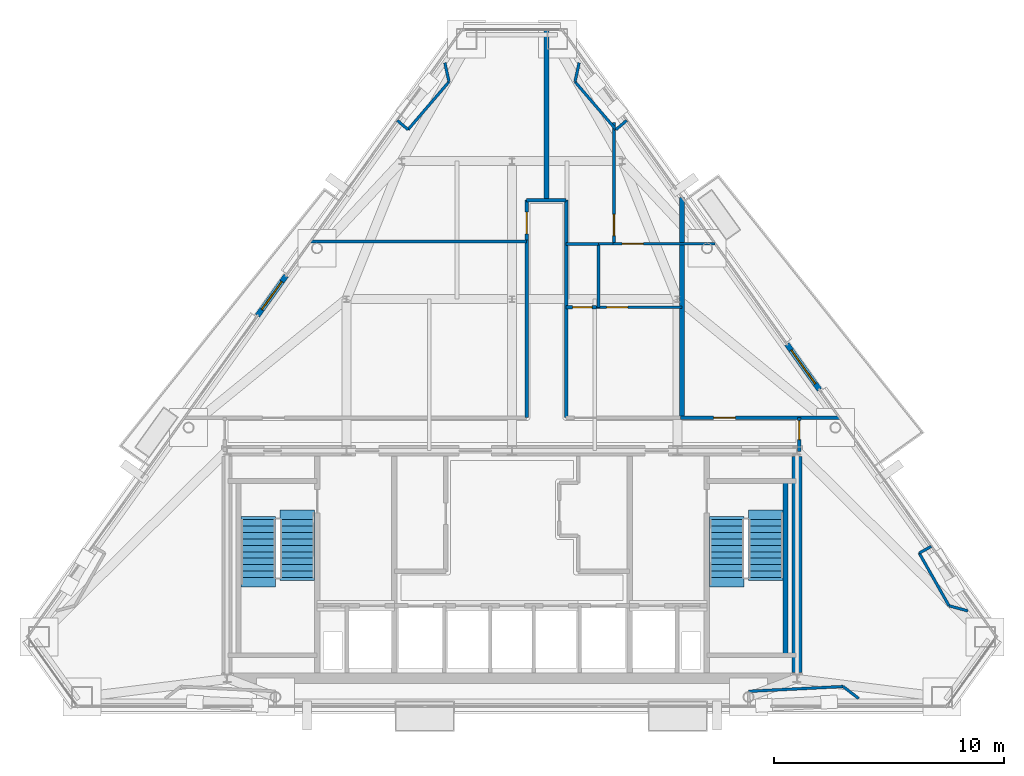
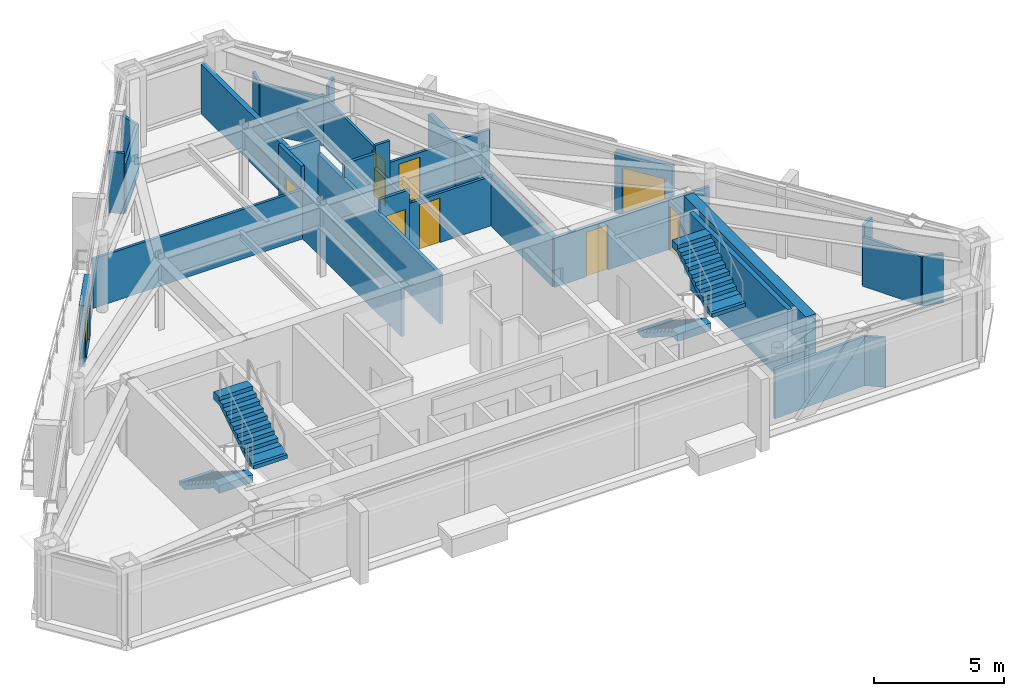
# One storey, part 9 of 11: 31 walls, 9 doors, 4 stair flights, 9 openings, 2 elements without a shape of their own.
"""IFC4 building model written with IfcOpenShell, lengths in metres."""

from ifc_helpers import new_model, si_unit, direction, frame, frame_2d, origin, place, context, subcontext, project, spatial, polyline, rectangle, outline, extrude, material, layer, layer_set, type_object, element, fill, aggregate, save


model = new_model("IFC4")

# Units and contexts
model_context = context("Model", 3, precision=1e-05, world=origin(), true_north=direction((0.0, 1.0)))
body_context = subcontext(model_context, "Body", "Model", "MODEL_VIEW")
ifc_project = project(units=[si_unit("LENGTHUNIT", "METRE"), si_unit("AREAUNIT", "SQUARE_METRE"), si_unit("VOLUMEUNIT", "CUBIC_METRE"), si_unit("PLANEANGLEUNIT", "RADIAN"), si_unit("MASSUNIT", "GRAM", prefix="KILO")], contexts=[model_context])

# Site, building, storey
site_placement = place(None, origin())
site = spatial("IfcSite", under=ifc_project, at=site_placement, CompositionType="ELEMENT")
building_placement = place(site_placement, origin())
building = spatial("IfcBuilding", under=site, at=building_placement, Name="Talgorran Terracotta Tower", CompositionType="ELEMENT")
storey_placement = place(building_placement, frame((0.0, 0.0, 274.199951171875)))
storey = spatial("IfcBuildingStorey", under=building, at=storey_placement, Name="L72", CompositionType="ELEMENT", Elevation=274.199951171875)

# Wall, opening, door
ifc_material_1 = material(Name="Concrete C40/50", Category="concrete")
ifc_layer_1 = layer(ifc_material_1, 0.239990234375, Name="WT_BALCONY_SPAND")
ifc_layer_set_1 = layer_set([ifc_layer_1], Name="Concrete C40/50")
wall_type_1 = type_object("IfcWallType", Name="WT_BALCONY_SPAND", PredefinedType="STANDARD", material=ifc_layer_set_1)
wall_1_placement = place(storey_placement, frame((13.38330078125, -1.546630859375, -0.014892578125), z_axis=(0.0, 0.0, 1.0), x_axis=(-0.58167352525, 0.813422344187, 0.0)))
wall_1 = element("IfcWall", 1, at=wall_1_placement, inside=storey, type_object=wall_type_1, Name="WL-L72-BALP-BAL-NE", PredefinedType="STANDARD", context=body_context, shape_type="SweptSolid", body=[
    extrude(rectangle(XDim=2.43994140625, YDim=0.239990234375, at=frame_2d((1.219970703125, 0.0))), origin(), (0.0, 0.0, 1.0), 2.8779296875),
])
opening_1_placement = place(wall_1_placement, frame((0.320068359375, 0.0, 0.014892578125)))
opening_1 = element("IfcOpeningElement", 2, at=opening_1_placement, cuts=wall_1, Name="Opening D-BAL-L72-1", PredefinedType="OPENING", context=body_context, shape_type="SweptSolid", body=[
    extrude(rectangle(XDim=1.806048828125, YDim=2.203951171875, at=frame_2d((0.89990234375, 1.10205078125))), frame((0.0, 0.1298828125, 0.0), z_axis=(0.0, -1.0, 0.0), x_axis=(1.0, 0.0, 0.0)), (0.0, 0.0, 1.0), 0.260009765625),
])
ifc_material_2 = material(Name="Thermally Broken Aluminium", Category="aluminium")
door_type_1 = type_object("IfcDoorType", Name="DT_BALC_1800", OperationType="SLIDING_TO_LEFT", PredefinedType="DOOR", material=ifc_material_2)
door_1_placement = place(opening_1_placement, origin())
door_1 = element("IfcDoor", 3, at=door_1_placement, inside=storey, type_object=door_type_1, Name="DR-L72-BAL-BAL-NE", OperationType="SLIDING_TO_LEFT", OverallHeight=2.199951171875, OverallWidth=1.800048828125, PredefinedType="DOOR", context=body_context, shape_type="SweptSolid", body=[
    extrude(rectangle(XDim=1.800048828125, YDim=2.199951171875, at=frame_2d((0.89990234375, 1.10009765625))), frame((0.0, 0.02490234375, 0.0), z_axis=(0.0, -1.0, 0.0), x_axis=(1.0, 0.0, 0.0)), (0.0, 0.0, 1.0), 0.050048828125),
])
fill(opening_1, door_1)

wall_2_placement = place(storey_placement, frame((-9.830810546875, 3.42041015625, -0.014892578125), z_axis=(0.0, 0.0, 1.0), x_axis=(-0.581756116184, -0.81336327756, 0.0)))
wall_2 = element("IfcWall", 4, at=wall_2_placement, inside=storey, type_object=wall_type_1, Name="WL-L72-BALP-BAL-NW", PredefinedType="STANDARD", context=body_context, shape_type="SweptSolid", body=[
    extrude(rectangle(XDim=2.139892578125, YDim=0.239990234375, at=frame_2d((1.06982421875, 0.0))), origin(), (0.0, 0.0, 1.0), 2.8779296875),
])
opening_2_placement = place(wall_2_placement, frame((0.320068359375, 0.0, 0.014892578125)))
opening_2 = element("IfcOpeningElement", 5, at=opening_2_placement, cuts=wall_2, Name="Opening D-BAL-L72-2", PredefinedType="OPENING", context=body_context, shape_type="SweptSolid", body=[
    extrude(rectangle(XDim=1.506, YDim=2.203951171875, at=frame_2d((0.75, 1.10205078125))), frame((0.0, 0.1298828125, 0.0), z_axis=(0.0, -1.0, 0.0), x_axis=(1.0, 0.0, 0.0)), (0.0, 0.0, 1.0), 0.260009765625),
])
door_type_2 = type_object("IfcDoorType", Name="DT_BALC_1500", OperationType="SLIDING_TO_RIGHT", PredefinedType="DOOR", material=ifc_material_2)
door_2_placement = place(opening_2_placement, origin())
door_2 = element("IfcDoor", 6, at=door_2_placement, inside=storey, type_object=door_type_2, Name="DR-L72-BAL-BAL-NW", OperationType="SLIDING_TO_RIGHT", OverallHeight=2.199951171875, OverallWidth=1.5, PredefinedType="DOOR", context=body_context, shape_type="SweptSolid", body=[
    extrude(rectangle(XDim=1.5, YDim=2.199951171875, at=frame_2d((0.75, 1.10009765625))), frame((0.0, 0.02490234375, 0.0), z_axis=(0.0, -1.0, 0.0), x_axis=(1.0, 0.0, 0.0)), (0.0, 0.0, 1.0), 0.050048828125),
])
fill(opening_2, door_2)

# Walls
ifc_material_3 = material(Name="Concrete C50/60", Category="concrete")
ifc_layer_2 = layer(ifc_material_3, 0.199951171875, Name="WT_CORE_200")
ifc_layer_set_2 = layer_set([ifc_layer_2], Name="Concrete C50/60")
wall_type_2 = type_object("IfcWallType", Name="WT_CORE_200", PredefinedType="SOLIDWALL", material=ifc_layer_set_2)
wall_3_placement = place(storey_placement, frame((11.89990234375, -13.10009765625, 0.0), z_axis=(0.0, 0.0, 1.0), x_axis=(0.0, 1.0, 0.0)))
element("IfcWall", 7, at=wall_3_placement, inside=storey, type_object=wall_type_2, Name="WL-L72-CW-ST2-E", PredefinedType="SOLIDWALL", context=body_context, shape_type="SweptSolid", body=[
    extrude(rectangle(XDim=7.580078125, YDim=0.199951171875, at=frame_2d((3.7900390625, 0.0))), origin(), (0.0, 0.0, 1.0), 3.60009765625),
])
ifc_material_4 = material(Name="Concrete C65/80", Category="concrete")
ifc_layer_3 = layer(ifc_material_4, 0.449951171875, Name="WT_CORE_EXT")
ifc_layer_set_3 = layer_set([ifc_layer_3], Name="Concrete C65/80")
wall_type_3 = type_object("IfcWallType", Name="WT_CORE_EXT", PredefinedType="SHEAR", material=ifc_layer_set_3)
wall_4_placement = place(storey_placement, frame((12.39990234375, -13.85009765625, 0.0), z_axis=(0.0, 0.0, 1.0), x_axis=(0.0, 1.0, 0.0)))
element("IfcWall", 8, at=wall_4_placement, inside=storey, type_object=wall_type_3, Name="WL-L72-CW-OUT-E", PredefinedType="SHEAR", context=body_context, shape_type="SweptSolid", body=[
    extrude(rectangle(XDim=9.400146484375, YDim=0.449951171875, at=frame_2d((4.7001953125, 0.0))), origin(), (0.0, 0.0, 1.0), 3.60009765625),
])
ifc_material_5 = material(Name="Fire-Rated Steel Stud Plasterboard", Category="steel")
ifc_layer_4 = layer(ifc_material_5, 0.14990234375, Name="WT_FIRE_150")
ifc_layer_set_4 = layer_set([ifc_layer_4], Name="Fire-Rated Steel Stud Plasterboard")
wall_type_4 = type_object("IfcWallType", Name="WT_FIRE_150", PredefinedType="PARTITIONING", material=ifc_layer_set_4)
wall_5_placement = place(storey_placement, frame((0.639892578125, -2.760009765625, 0.0), z_axis=(0.0, 0.0, 1.0), x_axis=(0.0, 1.0, 0.0)))
element("IfcWall", 9, at=wall_5_placement, inside=storey, type_object=wall_type_4, Name="WL-L72-W-L72-R12", PredefinedType="PARTITIONING", context=body_context, shape_type="SweptSolid", body=[
    extrude(rectangle(XDim=7.719970703125, YDim=0.14990234375, at=frame_2d((3.85986328125, 0.0))), origin(), (0.0, 0.0, 1.0), 2.320068359375),
])

# Wall, opening, door
wall_6_placement = place(storey_placement, frame((7.340087890625, -2.760009765625, 0.0), z_axis=(0.0, 0.0, 1.0), x_axis=(1.0, 0.0, 0.0)))
wall_6 = element("IfcWall", 10, at=wall_6_placement, inside=storey, type_object=wall_type_4, Name="WL-L72-W-L72-R10", PredefinedType="PARTITIONING", context=body_context, shape_type="SweptSolid", body=[
    extrude(rectangle(XDim=6.9111328125, YDim=0.14990234375, at=frame_2d((3.45556640625, 0.0))), origin(), (0.0, 0.0, 1.0), 2.320068359375),
])
opening_3_placement = place(wall_6_placement, frame((1.43017578125, 0.0, 0.0)))
opening_3 = element("IfcOpeningElement", 11, at=opening_3_placement, cuts=wall_6, Name="Opening DR-L72-R08", PredefinedType="OPENING", context=body_context, shape_type="SweptSolid", body=[
    extrude(rectangle(XDim=0.955951171875, YDim=2.10409765625, at=frame_2d((0.47509765625, 1.052001953125))), frame((0.0, 0.0849609375, 0.0), z_axis=(0.0, -1.0, 0.0), x_axis=(1.0, 0.0, 0.0)), (0.0, 0.0, 1.0), 0.169921875),
])
ifc_material_6 = material(Name="Fire-Rated Timber Core", Category="wood")
door_type_3 = type_object("IfcDoorType", Name="DT_FIRE_950", OperationType="NOTDEFINED", PredefinedType="DOOR", material=ifc_material_6)
door_3_placement = place(opening_3_placement, origin())
door_3 = element("IfcDoor", 12, at=door_3_placement, inside=storey, type_object=door_type_3, Name="DR-L72-R08", OperationType="SINGLE_SWING_RIGHT", OverallHeight=2.10009765625, OverallWidth=0.949951171875, PredefinedType="DOOR", context=body_context, shape_type="SweptSolid", body=[
    extrude(rectangle(XDim=0.949951171875, YDim=2.10009765625, at=frame_2d((0.47509765625, 1.050048828125))), frame((0.0, 0.02490234375, 0.0), z_axis=(0.0, -1.0, 0.0), x_axis=(1.0, 0.0, 0.0)), (0.0, 0.0, 1.0), 0.050048828125),
])
fill(opening_3, door_3)

# Wall
wall_7_placement = place(storey_placement, frame((2.360107421875, -2.760009765625, 0.0), z_axis=(0.0, 0.0, 1.0), x_axis=(0.0, 1.0, 0.0)))
element("IfcWall", 13, at=wall_7_placement, inside=storey, type_object=wall_type_4, Name="WL-L72-W-L72-R05", PredefinedType="PARTITIONING", context=body_context, shape_type="SweptSolid", body=[
    extrude(rectangle(XDim=9.4599609375, YDim=0.14990234375, at=frame_2d((4.72998046875, 0.0))), origin(), (0.0, 0.0, 1.0), 2.320068359375),
])

# Wall, opening, door
wall_8_placement = place(storey_placement, frame((0.639892578125, 4.9619140625, 0.0), z_axis=(0.0, 0.0, 1.0), x_axis=(0.0, 1.0, 0.0)))
wall_8 = element("IfcWall", 14, at=wall_8_placement, inside=storey, type_object=wall_type_4, Name="WL-L72-W-L72-R03", PredefinedType="PARTITIONING", context=body_context, shape_type="SweptSolid", body=[
    extrude(rectangle(XDim=1.738037109375, YDim=0.14990234375, at=frame_2d((0.869140625, 0.0))), origin(), (0.0, 0.0, 1.0), 3.344970703125),
])
opening_4_placement = place(wall_8_placement, frame((0.27392578125, 0.0, 0.0)))
opening_4 = element("IfcOpeningElement", 15, at=opening_4_placement, cuts=wall_8, Name="Opening DR-L72-R03", PredefinedType="OPENING", context=body_context, shape_type="SweptSolid", body=[
    extrude(rectangle(XDim=0.955951171875, YDim=2.10409765625, at=frame_2d((0.47509765625, 1.052001953125))), frame((0.0, 0.0849609375, 0.0), z_axis=(0.0, -1.0, 0.0), x_axis=(1.0, 0.0, 0.0)), (0.0, 0.0, 1.0), 0.169921875),
])
door_4_placement = place(opening_4_placement, origin())
door_4 = element("IfcDoor", 16, at=door_4_placement, inside=storey, type_object=door_type_3, Name="DR-L72-R03", OperationType="SINGLE_SWING_LEFT", OverallHeight=2.10009765625, OverallWidth=0.949951171875, PredefinedType="DOOR", context=body_context, shape_type="SweptSolid", body=[
    extrude(rectangle(XDim=0.949951171875, YDim=2.10009765625, at=frame_2d((0.47509765625, 1.050048828125))), frame((0.0, 0.02490234375, 0.0), z_axis=(0.0, -1.0, 0.0), x_axis=(1.0, 0.0, 0.0)), (0.0, 0.0, 1.0), 0.050048828125),
])
fill(opening_4, door_4)

wall_9_placement = place(storey_placement, frame((12.5, -4.239990234375, 0.0), z_axis=(0.0, 0.0, 1.0), x_axis=(0.0, 1.0, 0.0)))
wall_9 = element("IfcWall", 17, at=wall_9_placement, inside=storey, type_object=wall_type_4, Name="WL-L72-W-L72-R02", PredefinedType="PARTITIONING", context=body_context, shape_type="SweptSolid", body=[
    extrude(rectangle(XDim=1.47998046875, YDim=0.14990234375, at=frame_2d((0.739990234375, 0.0))), origin(), (0.0, 0.0, 1.0), 2.320068359375),
])
opening_5_placement = place(wall_9_placement, frame((0.521728515625, 0.0, 0.0)))
opening_5 = element("IfcOpeningElement", 18, at=opening_5_placement, cuts=wall_9, Name="Opening DR-L72-R02", PredefinedType="OPENING", context=body_context, shape_type="SweptSolid", body=[
    extrude(rectangle(XDim=0.826068359375, YDim=2.10409765625, at=frame_2d((0.41015625, 1.052001953125))), frame((0.0, 0.0849609375, 0.0), z_axis=(0.0, -1.0, 0.0), x_axis=(1.0, 0.0, 0.0)), (0.0, 0.0, 1.0), 0.169921875),
])
ifc_material_7 = material(Name="Moisture-Resistant Solid Timber", Category="wood")
door_type_4 = type_object("IfcDoorType", Name="DT_INT_820", OperationType="NOTDEFINED", PredefinedType="DOOR", material=ifc_material_7)
door_5_placement = place(opening_5_placement, origin())
door_5 = element("IfcDoor", 19, at=door_5_placement, inside=storey, type_object=door_type_4, Name="DR-L72-R02", OperationType="SINGLE_SWING_RIGHT", OverallHeight=2.10009765625, OverallWidth=0.820068359375, PredefinedType="DOOR", context=body_context, shape_type="SweptSolid", body=[
    extrude(rectangle(XDim=0.820068359375, YDim=2.10009765625, at=frame_2d((0.41015625, 1.050048828125))), frame((0.0, 0.02490234375, 0.0), z_axis=(0.0, -1.0, 0.0), x_axis=(1.0, 0.0, 0.0)), (0.0, 0.0, 1.0), 0.050048828125),
])
fill(opening_5, door_5)

# Walls
wall_10_placement = place(storey_placement, frame((0.639892578125, 6.699951171875, 0.0), z_axis=(0.0, 0.0, 1.0), x_axis=(1.0, 0.0, 0.0)))
element("IfcWall", 20, at=wall_10_placement, inside=storey, type_object=wall_type_4, Name="WL-L72-W-L72-R04", PredefinedType="PARTITIONING", context=body_context, shape_type="SweptSolid", body=[
    extrude(rectangle(XDim=1.72021484375, YDim=0.14990234375, at=frame_2d((0.860107421875, 0.0))), origin(), (0.0, 0.0, 1.0), 2.96435546875),
])
ifc_material_8 = material(Name="Acoustic Masonry and Plasterboard", Category="masonry")
ifc_layer_5 = layer(ifc_material_8, 0.219970703125, Name="WT_PARTY_220")
ifc_layer_set_5 = layer_set([ifc_layer_5], Name="Acoustic Masonry and Plasterboard")
wall_type_5 = type_object("IfcWallType", Name="WT_PARTY_220", PredefinedType="PARTITIONING", material=ifc_layer_set_5)
wall_11_placement = place(storey_placement, frame((1.5, 6.699951171875, 0.0), z_axis=(0.0, 0.0, 1.0), x_axis=(0.0, 1.0, 0.0)))
element("IfcWall", 21, at=wall_11_placement, inside=storey, type_object=wall_type_5, Name="WL-L72-W-L72-R13", PredefinedType="PARTITIONING", context=body_context, shape_type="SweptSolid", body=[
    extrude(rectangle(XDim=7.416748046875, YDim=0.219970703125, at=frame_2d((3.70849609375, 0.0))), origin(), (0.0, 0.0, 1.0), 2.320068359375),
])
wall_12_placement = place(storey_placement, frame((7.39990234375, -2.760009765625, 0.0), z_axis=(0.0, 0.0, 1.0), x_axis=(0.0, 1.0, 0.0)))
element("IfcWall", 22, at=wall_12_placement, inside=storey, type_object=wall_type_5, Name="WL-L72-W-L72-R17", PredefinedType="PARTITIONING", context=body_context, shape_type="SweptSolid", body=[
    extrude(rectangle(XDim=9.579345703125, YDim=0.219970703125, at=frame_2d((4.78955078125, 0.0))), origin(), (0.0, 0.0, 1.0), 2.320068359375),
])
ifc_material_9 = material(Name="Insulated Steel Stud Plasterboard", Category="steel")
ifc_layer_6 = layer(ifc_material_9, 0.1201171875, Name="WT_PART_120")
ifc_layer_set_6 = layer_set([ifc_layer_6], Name="Insulated Steel Stud Plasterboard")
wall_type_6 = type_object("IfcWallType", Name="WT_PART_120", PredefinedType="PARTITIONING", material=ifc_layer_set_6)
wall_13_placement = place(storey_placement, frame((-8.772705078125, 4.89990234375, 0.0), z_axis=(0.0, 0.0, 1.0), x_axis=(1.0, 0.0, 0.0)))
element("IfcWall", 23, at=wall_13_placement, inside=storey, type_object=wall_type_6, Name="WL-L72-W-L72-R14", PredefinedType="PARTITIONING", context=body_context, shape_type="SweptSolid", body=[
    extrude(rectangle(XDim=9.41259765625, YDim=0.1201171875, at=frame_2d((4.706298828125, 0.0))), origin(), (0.0, 0.0, 1.0), 2.320068359375),
])

# Wall, opening, door
wall_14_placement = place(storey_placement, frame((4.43994140625, 4.800048828125, 0.0), z_axis=(0.0, 0.0, 1.0), x_axis=(0.0, 1.0, 0.0)))
wall_14 = element("IfcWall", 24, at=wall_14_placement, inside=storey, type_object=wall_type_6, Name="WL-L72-W-L72-R23", PredefinedType="PARTITIONING", context=body_context, shape_type="SweptSolid", body=[
    extrude(rectangle(XDim=5.280029296875, YDim=0.1201171875, at=frame_2d((2.64013671875, 0.0))), origin(), (0.0, 0.0, 1.0), 2.320068359375),
])
opening_6_placement = place(wall_14_placement, frame((0.35888671875, 0.0, 0.0)))
opening_6 = element("IfcOpeningElement", 25, at=opening_6_placement, cuts=wall_14, Name="Opening DR-L72-R07", PredefinedType="OPENING", context=body_context, shape_type="SweptSolid", body=[
    extrude(rectangle(XDim=0.925921875, YDim=2.10409765625, at=frame_2d((0.4599609375, 1.052001953125))), frame((0.0, 0.070068359375, 0.0), z_axis=(0.0, -1.0, 0.0), x_axis=(1.0, 0.0, 0.0)), (0.0, 0.0, 1.0), 0.14013671875),
])
ifc_material_10 = material(Name="Solid-Core Painted Timber", Category="wood")
door_type_5 = type_object("IfcDoorType", Name="DT_INT_920", OperationType="NOTDEFINED", PredefinedType="DOOR", material=ifc_material_10)
door_6_placement = place(opening_6_placement, origin())
door_6 = element("IfcDoor", 26, at=door_6_placement, inside=storey, type_object=door_type_5, Name="DR-L72-R07", OperationType="SINGLE_SWING_LEFT", OverallHeight=2.10009765625, OverallWidth=0.919921875, PredefinedType="DOOR", context=body_context, shape_type="SweptSolid", body=[
    extrude(rectangle(XDim=0.919921875, YDim=2.10009765625, at=frame_2d((0.4599609375, 1.050048828125))), frame((0.0, 0.02490234375, 0.0), z_axis=(0.0, -1.0, 0.0), x_axis=(1.0, 0.0, 0.0)), (0.0, 0.0, 1.0), 0.050048828125),
])
fill(opening_6, door_6)

wall_15_placement = place(storey_placement, frame((4.39990234375, 4.800048828125, 0.0), z_axis=(0.0, 0.0, 1.0), x_axis=(1.0, 0.0, 0.0)))
wall_15 = element("IfcWall", 27, at=wall_15_placement, inside=storey, type_object=wall_type_6, Name="WL-L72-W-L72-R21", PredefinedType="PARTITIONING", context=body_context, shape_type="SweptSolid", body=[
    extrude(rectangle(XDim=4.4443359375, YDim=0.1201171875, at=frame_2d((2.22216796875, 0.0))), origin(), (0.0, 0.0, 1.0), 2.320068359375),
])
opening_7_placement = place(wall_15_placement, frame((0.39990234375, 0.0, 0.0)))
opening_7 = element("IfcOpeningElement", 28, at=opening_7_placement, cuts=wall_15, Name="Opening DR-L72-R10", PredefinedType="OPENING", context=body_context, shape_type="SweptSolid", body=[
    extrude(rectangle(XDim=0.925921875, YDim=2.10409765625, at=frame_2d((0.4599609375, 1.052001953125))), frame((0.0, 0.070068359375, 0.0), z_axis=(0.0, -1.0, 0.0), x_axis=(1.0, 0.0, 0.0)), (0.0, 0.0, 1.0), 0.14013671875),
])
door_7_placement = place(opening_7_placement, origin())
door_7 = element("IfcDoor", 29, at=door_7_placement, inside=storey, type_object=door_type_5, Name="DR-L72-R10", OperationType="SINGLE_SWING_RIGHT", OverallHeight=2.10009765625, OverallWidth=0.919921875, PredefinedType="DOOR", context=body_context, shape_type="SweptSolid", body=[
    extrude(rectangle(XDim=0.919921875, YDim=2.10009765625, at=frame_2d((0.4599609375, 1.050048828125))), frame((0.0, 0.02490234375, 0.0), z_axis=(0.0, -1.0, 0.0), x_axis=(1.0, 0.0, 0.0)), (0.0, 0.0, 1.0), 0.050048828125),
])
fill(opening_7, door_7)

wall_16_placement = place(storey_placement, frame((3.679931640625, 2.0400390625, 0.0), z_axis=(0.0, 0.0, 1.0), x_axis=(1.0, 0.0, 0.0)))
wall_16 = element("IfcWall", 30, at=wall_16_placement, inside=storey, type_object=wall_type_6, Name="WL-L72-W-L72-R16", PredefinedType="PARTITIONING", context=body_context, shape_type="SweptSolid", body=[
    extrude(rectangle(XDim=3.719970703125, YDim=0.1201171875, at=frame_2d((1.85986328125, 0.0))), origin(), (0.0, 0.0, 1.0), 2.320068359375),
])
opening_8_placement = place(wall_16_placement, frame((0.43505859375, 0.0, 0.0)))
opening_8 = element("IfcOpeningElement", 31, at=opening_8_placement, cuts=wall_16, Name="Opening DR-L72-R06", PredefinedType="OPENING", context=body_context, shape_type="SweptSolid", body=[
    extrude(rectangle(XDim=0.925921875, YDim=2.10409765625, at=frame_2d((0.4599609375, 1.052001953125))), frame((0.0, 0.070068359375, 0.0), z_axis=(0.0, -1.0, 0.0), x_axis=(1.0, 0.0, 0.0)), (0.0, 0.0, 1.0), 0.14013671875),
])
door_8_placement = place(opening_8_placement, origin())
door_8 = element("IfcDoor", 32, at=door_8_placement, inside=storey, type_object=door_type_5, Name="DR-L72-R06", OperationType="SINGLE_SWING_RIGHT", OverallHeight=2.10009765625, OverallWidth=0.919921875, PredefinedType="DOOR", context=body_context, shape_type="SweptSolid", body=[
    extrude(rectangle(XDim=0.919921875, YDim=2.10009765625, at=frame_2d((0.4599609375, 1.050048828125))), frame((0.0, 0.02490234375, 0.0), z_axis=(0.0, -1.0, 0.0), x_axis=(1.0, 0.0, 0.0)), (0.0, 0.0, 1.0), 0.050048828125),
])
fill(opening_8, door_8)

# Walls
wall_17_placement = place(storey_placement, frame((10.2900390625, -14.672119140625, 0.0), z_axis=(0.0, 0.0, 1.0), x_axis=(0.998709464059, 0.050787856814, 0.0)))
element("IfcWall", 33, at=wall_17_placement, inside=storey, type_object=wall_type_6, Name="WL-L72-BW-L72-07", PredefinedType="PARTITIONING", context=body_context, shape_type="SweptSolid", body=[
    extrude(rectangle(XDim=4.12451171875, YDim=0.1201171875, at=frame_2d((2.062255859375, 0.0))), origin(), (0.0, 0.0, 1.0), 2.320068359375),
])
for number, where, z_axis, x_axis, name in (
    (34, (-2.741455078125, 11.85498046875, 0.0), (0.0, 0.0, 1.0), (-0.649984417987, -0.759947535277, 0.0), "WL-L72-BW-L72-16"),
    (35, (4.523681640625, 9.771240234375, 0.0), (0.0, 0.0, 1.0), (-0.649984417987, 0.759947535277, 0.0), "WL-L72-BW-L72-19"),
):
    element("IfcWall", number, at=place(storey_placement, frame(where, z_axis=z_axis, x_axis=x_axis)), inside=storey, type_object=wall_type_6, Name=name, PredefinedType="PARTITIONING", context=body_context, shape_type="SweptSolid", body=[
        extrude(rectangle(XDim=2.741943359375, YDim=0.1201171875, at=frame_2d((1.37109375, 0.0))), origin(), (0.0, 0.0, 1.0), 2.320068359375),
    ])
wall_18_placement = place(storey_placement, frame((19.01904296875, -10.9501953125, 0.0), z_axis=(0.0, 0.0, 1.0), x_axis=(-0.492860512567, 0.870108335297, 0.0)))
element("IfcWall", 36, at=wall_18_placement, inside=storey, type_object=wall_type_6, Name="WL-L72-BW-L72-14", PredefinedType="PARTITIONING", context=body_context, shape_type="SweptSolid", body=[
    extrude(rectangle(XDim=2.63330078125, YDim=0.1201171875, at=frame_2d((1.316650390625, 0.0))), origin(), (0.0, 0.0, 1.0), 2.320068359375),
])
wall_19_placement = place(storey_placement, frame((14.4091796875, -14.462646484375, 0.0), z_axis=(0.0, 0.0, 1.0), x_axis=(0.792229581797, -0.610223147484, 0.0)))
element("IfcWall", 37, at=wall_19_placement, inside=storey, type_object=wall_type_6, Name="WL-L72-BW-L72-05", PredefinedType="PARTITIONING", context=body_context, shape_type="SweptSolid", body=[
    extrude(rectangle(XDim=0.851806640625, YDim=0.1201171875, at=frame_2d((0.42578125, 0.0))), origin(), (0.0, 0.0, 1.0), 2.320068359375),
])
wall_20_placement = place(storey_placement, frame((19.83837890625, -11.173583984375, 0.0), z_axis=(0.0, 0.0, 1.0), x_axis=(-0.964783720957, 0.263044429283, 0.0)))
element("IfcWall", 38, at=wall_20_placement, inside=storey, type_object=wall_type_6, Name="WL-L72-BW-L72-13", PredefinedType="PARTITIONING", context=body_context, shape_type="SweptSolid", body=[
    extrude(rectangle(XDim=0.84912109375, YDim=0.1201171875, at=frame_2d((0.424560546875, 0.0))), origin(), (0.0, 0.0, 1.0), 2.320068359375),
])
for number, where, z_axis, x_axis, name in (
    (39, (-2.92236328125, 12.680908203125, 0.0), (0.0, 0.0, 1.0), (0.213963823388, -0.976841585049, 0.0), "WL-L72-BW-L72-15"),
    (40, (2.741455078125, 11.85498046875, 0.0), (0.0, 0.0, 1.0), (0.213963823388, 0.976841585049, 0.0), "WL-L72-BW-L72-20"),
):
    element("IfcWall", number, at=place(storey_placement, frame(where, z_axis=z_axis, x_axis=x_axis)), inside=storey, type_object=wall_type_6, Name=name, PredefinedType="PARTITIONING", context=body_context, shape_type="SweptSolid", body=[
        extrude(rectangle(XDim=0.845458984375, YDim=0.1201171875, at=frame_2d((0.4228515625, 0.0))), origin(), (0.0, 0.0, 1.0), 2.320068359375),
    ])
wall_21_placement = place(storey_placement, frame((3.760009765625, 4.800048828125, 0.0), z_axis=(0.0, 0.0, 1.0), x_axis=(1.0, 0.0, 0.0)))
element("IfcWall", 41, at=wall_21_placement, inside=storey, type_object=wall_type_6, Name="WL-L72-W-L72-R20", PredefinedType="PARTITIONING", context=body_context, shape_type="SweptSolid", body=[
    extrude(rectangle(XDim=0.637939453125, YDim=0.1201171875, at=frame_2d((0.31884765625, 0.0))), origin(), (0.0, 0.0, 1.0), 3.344970703125),
])
for number, where, z_axis, x_axis, name in (
    (42, (-4.523681640625, 9.771240234375, 0.0), (0.0, 0.0, 1.0), (-0.759789025065, 0.650169698918, 0.0), "WL-L72-BW-L72-17"),
    (43, (4.99072265625, 10.1708984375, 0.0), (0.0, 0.0, 1.0), (-0.759789025065, -0.650169698918, 0.0), "WL-L72-BW-L72-18"),
):
    element("IfcWall", number, at=place(storey_placement, frame(where, z_axis=z_axis, x_axis=x_axis)), inside=storey, type_object=wall_type_6, Name=name, PredefinedType="PARTITIONING", context=body_context, shape_type="SweptSolid", body=[
        extrude(rectangle(XDim=0.61474609375, YDim=0.1201171875, at=frame_2d((0.307373046875, 0.0))), origin(), (0.0, 0.0, 1.0), 2.863037109375),
    ])
wall_22_placement = place(storey_placement, frame((17.72119140625, -8.658935546875, 0.0), z_axis=(0.0, 0.0, 1.0), x_axis=(0.870230638559, 0.492644532816, 0.0)))
element("IfcWall", 44, at=wall_22_placement, inside=storey, type_object=wall_type_6, Name="WL-L72-BW-L72-12", PredefinedType="PARTITIONING", context=body_context, shape_type="SweptSolid", body=[
    extrude(rectangle(XDim=0.6025390625, YDim=0.1201171875, at=frame_2d((0.30126953125, 0.0))), origin(), (0.0, 0.0, 1.0), 2.863037109375),
])
ifc_material_11 = material(Name="Moisture-Resistant Stud Wall")
ifc_layer_7 = layer(ifc_material_11, 0.135009765625, Name="WT_PART_135")
ifc_layer_set_7 = layer_set([ifc_layer_7], Name="Moisture-Resistant Stud Wall")
wall_type_7 = type_object("IfcWallType", Name="WT_PART_135", PredefinedType="PARTITIONING", material=ifc_layer_set_7)
wall_23_placement = place(storey_placement, frame((3.760009765625, 2.0400390625, 0.0), z_axis=(0.0, 0.0, 1.0), x_axis=(0.0, 1.0, 0.0)))
element("IfcWall", 45, at=wall_23_placement, inside=storey, type_object=wall_type_7, Name="WL-L72-W-L72-R18", PredefinedType="PARTITIONING", context=body_context, shape_type="SweptSolid", body=[
    extrude(rectangle(XDim=2.760009765625, YDim=0.135009765625, at=frame_2d((1.3798828125, 0.0))), origin(), (0.0, 0.0, 1.0), 2.320068359375),
])

# Wall, opening, door
wall_24_placement = place(storey_placement, frame((2.360107421875, 2.0400390625, 0.0), z_axis=(0.0, 0.0, 1.0), x_axis=(1.0, 0.0, 0.0)))
wall_24 = element("IfcWall", 46, at=wall_24_placement, inside=storey, type_object=wall_type_7, Name="WL-L72-W-L72-R15", PredefinedType="PARTITIONING", context=body_context, shape_type="SweptSolid", body=[
    extrude(rectangle(XDim=1.31787109375, YDim=0.135009765625, at=frame_2d((0.658935546875, 0.0))), origin(), (0.0, 0.0, 1.0), 2.96435546875),
])
opening_9_placement = place(wall_24_placement, frame((0.275634765625, 0.0, 0.0)))
opening_9 = element("IfcOpeningElement", 47, at=opening_9_placement, cuts=wall_24, Name="Opening DR-L72-R05", PredefinedType="OPENING", context=body_context, shape_type="SweptSolid", body=[
    extrude(rectangle(XDim=0.85609765625, YDim=2.10409765625, at=frame_2d((0.425048828125, 1.052001953125))), frame((0.0, 0.07763671875, 0.0), z_axis=(0.0, -1.0, 0.0), x_axis=(1.0, 0.0, 0.0)), (0.0, 0.0, 1.0), 0.155029296875),
])
door_type_6 = type_object("IfcDoorType", Name="DT_INT_850", OperationType="NOTDEFINED", PredefinedType="DOOR", material=ifc_material_7)
door_9_placement = place(opening_9_placement, origin())
door_9 = element("IfcDoor", 48, at=door_9_placement, inside=storey, type_object=door_type_6, Name="DR-L72-R05", OperationType="SINGLE_SWING_LEFT", OverallHeight=2.10009765625, OverallWidth=0.85009765625, PredefinedType="DOOR", context=body_context, shape_type="SweptSolid", body=[
    extrude(rectangle(XDim=0.85009765625, YDim=2.10009765625, at=frame_2d((0.425048828125, 1.050048828125))), frame((0.0, 0.02490234375, 0.0), z_axis=(0.0, -1.0, 0.0), x_axis=(1.0, 0.0, 0.0)), (0.0, 0.0, 1.0), 0.050048828125),
])
fill(opening_9, door_9)

# Wall
wall_25_placement = place(storey_placement, frame((2.360107421875, 4.800048828125, 0.0), z_axis=(0.0, 0.0, 1.0), x_axis=(1.0, 0.0, 0.0)))
element("IfcWall", 49, at=wall_25_placement, inside=storey, type_object=wall_type_7, Name="WL-L72-W-L72-R19", PredefinedType="PARTITIONING", context=body_context, shape_type="SweptSolid", body=[
    extrude(rectangle(XDim=1.39990234375, YDim=0.135009765625, at=frame_2d((0.699951171875, 0.0))), origin(), (0.0, 0.0, 1.0), 2.96435546875),
])

# Stair, stair flights
stair_type = type_object("IfcStairType", Name="ST_FIRE_SCISSOR", PredefinedType="HALF_TURN_STAIR", material=ifc_material_1)
stair_1_placement = place(storey_placement, origin())
stair_1 = element("IfcStair", 50, at=stair_1_placement, inside=storey, type_object=stair_type, Name="L72 West Protected Fire Stair ST-01", PredefinedType="HALF_TURN_STAIR")
ifc_layer_8 = layer(ifc_material_1, 0.179931640625, Name="STF_RC_1500")
ifc_layer_set_8 = layer_set([ifc_layer_8], Name="Concrete C40/50")
stair_flight_type = type_object("IfcStairFlightType", Name="STF_RC_1500", PredefinedType="STRAIGHT", material=ifc_layer_set_8)
stair_flight_1_placement = place(storey_placement, frame((-11.050048828125, -7.199951171875, 0.0), z_axis=(0.0, 0.0, 1.0), x_axis=(0.0, -1.0, 0.0)))
stair_flight_1 = element("IfcStairFlight", 51, at=stair_flight_1_placement, type_object=stair_flight_type, Name="ST-01 flight 1", NumberOfRisers=10, NumberOfTreads=9, PredefinedType="STRAIGHT", RiserHeight=0.18, TreadLength=0.28, context=body_context, shape_type="SweptSolid", body=[
    extrude(outline(polyline([(-0.139892578125, 0.0), (-0.139892578125, 0.179931640625), (0.0, 0.179931640625), (0.280029296875, 0.360107421875), (0.56005859375, 0.360107421875), (0.56005859375, 0.5400390625), (0.840087890625, 0.5400390625), (0.840087890625, 0.719970703125), (1.1201171875, 0.719970703125), (1.1201171875, 0.89990234375), (1.39990234375, 0.89990234375), (1.39990234375, 1.080078125), (1.679931640625, 1.080078125), (1.679931640625, 1.260009765625), (1.9599609375, 1.260009765625), (1.9599609375, 1.43994140625), (2.239990234375, 1.43994140625), (2.239990234375, 1.6201171875), (2.52001953125, 1.6201171875), (2.52001953125, 1.800048828125), (2.93994140625, 1.800048828125), (2.93994140625, 1.44189453125), (2.52001953125, 1.44189453125), (0.277099609375, 0.0), (-0.139892578125, 0.0)])), frame((0.0, 0.75, 0.0), z_axis=(0.0, -1.0, 0.0), x_axis=(1.0, 0.0, 0.0)), (0.0, 0.0, 1.0), 1.5),
])
stair_flight_2_placement = place(storey_placement, frame((-9.35009765625, -9.719970703125, 1.800048828125), z_axis=(0.0, 0.0, 1.0), x_axis=(0.0, 1.0, 0.0)))
stair_flight_2 = element("IfcStairFlight", 52, at=stair_flight_2_placement, type_object=stair_flight_type, Name="ST-01 flight 2", NumberOfRisers=10, NumberOfTreads=9, PredefinedType="STRAIGHT", RiserHeight=0.18, TreadLength=0.28, context=body_context, shape_type="SweptSolid", body=[
    extrude(outline(polyline([(-0.139892578125, 0.0), (-0.139892578125, 0.179931640625), (0.0, 0.179931640625), (0.280029296875, 0.360107421875), (0.56005859375, 0.360107421875), (0.56005859375, 0.5400390625), (0.840087890625, 0.5400390625), (0.840087890625, 0.719970703125), (1.1201171875, 0.719970703125), (1.1201171875, 0.89990234375), (1.39990234375, 0.89990234375), (1.39990234375, 1.080078125), (1.679931640625, 1.080078125), (1.679931640625, 1.260009765625), (1.9599609375, 1.260009765625), (1.9599609375, 1.43994140625), (2.239990234375, 1.43994140625), (2.239990234375, 1.6201171875), (2.52001953125, 1.6201171875), (2.52001953125, 1.800048828125), (2.93994140625, 1.800048828125), (2.93994140625, 1.44189453125), (2.52001953125, 1.44189453125), (0.277099609375, 0.0), (-0.139892578125, 0.0)])), frame((0.0, 0.75, 0.0), z_axis=(0.0, -1.0, 0.0), x_axis=(1.0, 0.0, 0.0)), (0.0, 0.0, 1.0), 1.5),
])
aggregate(stair_1, [stair_flight_1, stair_flight_2])

stair_2_placement = place(storey_placement, origin())
stair_2 = element("IfcStair", 53, at=stair_2_placement, inside=storey, type_object=stair_type, Name="L72 East Protected Fire Stair ST-02", PredefinedType="HALF_TURN_STAIR")
stair_flight_3_placement = place(storey_placement, frame((9.35009765625, -7.199951171875, 0.0), z_axis=(0.0, 0.0, 1.0), x_axis=(0.0, -1.0, 0.0)))
stair_flight_3 = element("IfcStairFlight", 54, at=stair_flight_3_placement, type_object=stair_flight_type, Name="ST-02 flight 1", NumberOfRisers=10, NumberOfTreads=9, PredefinedType="STRAIGHT", RiserHeight=0.18, TreadLength=0.28, context=body_context, shape_type="SweptSolid", body=[
    extrude(outline(polyline([(-0.139892578125, 0.0), (-0.139892578125, 0.179931640625), (0.0, 0.179931640625), (0.280029296875, 0.360107421875), (0.56005859375, 0.360107421875), (0.56005859375, 0.5400390625), (0.840087890625, 0.5400390625), (0.840087890625, 0.719970703125), (1.1201171875, 0.719970703125), (1.1201171875, 0.89990234375), (1.39990234375, 0.89990234375), (1.39990234375, 1.080078125), (1.679931640625, 1.080078125), (1.679931640625, 1.260009765625), (1.9599609375, 1.260009765625), (1.9599609375, 1.43994140625), (2.239990234375, 1.43994140625), (2.239990234375, 1.6201171875), (2.52001953125, 1.6201171875), (2.52001953125, 1.800048828125), (2.93994140625, 1.800048828125), (2.93994140625, 1.44189453125), (2.52001953125, 1.44189453125), (0.277099609375, 0.0), (-0.139892578125, 0.0)])), frame((0.0, 0.75, 0.0), z_axis=(0.0, -1.0, 0.0), x_axis=(1.0, 0.0, 0.0)), (0.0, 0.0, 1.0), 1.5),
])
stair_flight_4_placement = place(storey_placement, frame((11.050048828125, -9.719970703125, 1.800048828125), z_axis=(0.0, 0.0, 1.0), x_axis=(0.0, 1.0, 0.0)))
stair_flight_4 = element("IfcStairFlight", 55, at=stair_flight_4_placement, type_object=stair_flight_type, Name="ST-02 flight 2", NumberOfRisers=10, NumberOfTreads=9, PredefinedType="STRAIGHT", RiserHeight=0.18, TreadLength=0.28, context=body_context, shape_type="SweptSolid", body=[
    extrude(outline(polyline([(-0.139892578125, 0.0), (-0.139892578125, 0.179931640625), (0.0, 0.179931640625), (0.280029296875, 0.360107421875), (0.56005859375, 0.360107421875), (0.56005859375, 0.5400390625), (0.840087890625, 0.5400390625), (0.840087890625, 0.719970703125), (1.1201171875, 0.719970703125), (1.1201171875, 0.89990234375), (1.39990234375, 0.89990234375), (1.39990234375, 1.080078125), (1.679931640625, 1.080078125), (1.679931640625, 1.260009765625), (1.9599609375, 1.260009765625), (1.9599609375, 1.43994140625), (2.239990234375, 1.43994140625), (2.239990234375, 1.6201171875), (2.52001953125, 1.6201171875), (2.52001953125, 1.800048828125), (2.93994140625, 1.800048828125), (2.93994140625, 1.44189453125), (2.52001953125, 1.44189453125), (0.277099609375, 0.0), (-0.139892578125, 0.0)])), frame((0.0, 0.75, 0.0), z_axis=(0.0, -1.0, 0.0), x_axis=(1.0, 0.0, 0.0)), (0.0, 0.0, 1.0), 1.5),
])
aggregate(stair_2, [stair_flight_3, stair_flight_4])

save(model, "model.ifc")
